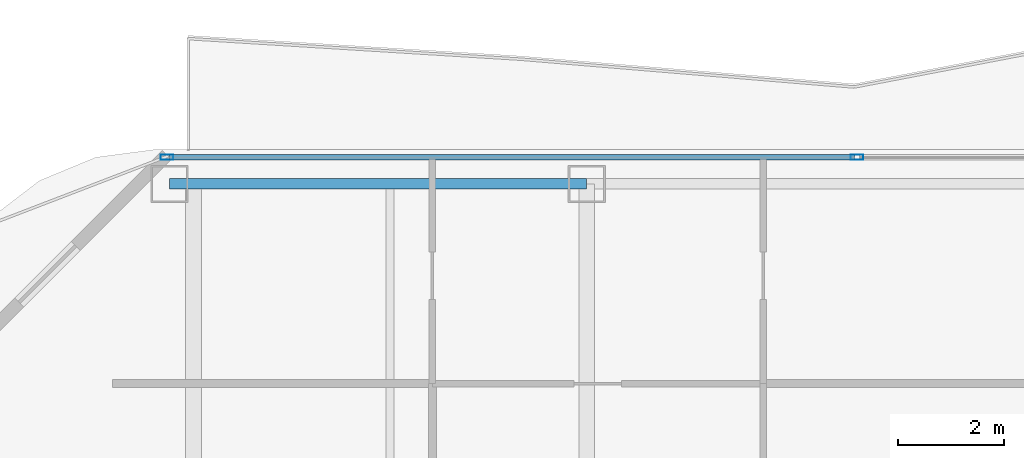
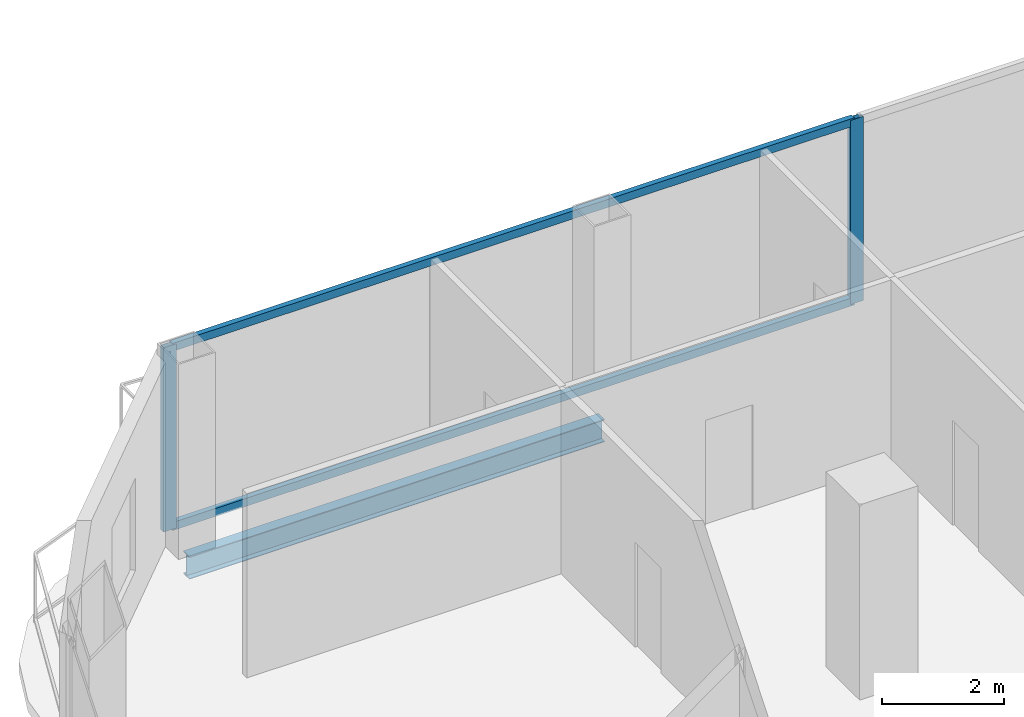
# One storey, part 14 of 27: 4 members, 1 beam, 1 element without a shape of its own.
"""IFC4 building model written with IfcOpenShell, lengths in metres."""

from ifc_helpers import new_model, si_unit, direction, frame, origin, origin_2d, place, context, subcontext, project, spatial, hollow_rectangle, i_section, extrude, material, layer, layer_set, material_profile, profile_set, type_object, element, aggregate, save


model = new_model("IFC4")

# Units and contexts
model_context = context("Model", 3, precision=1e-05, world=origin(), true_north=direction((0.0, 1.0)))
body_context = subcontext(model_context, "Body", "Model", "MODEL_VIEW")
ifc_project = project(units=[si_unit("LENGTHUNIT", "METRE"), si_unit("AREAUNIT", "SQUARE_METRE"), si_unit("VOLUMEUNIT", "CUBIC_METRE"), si_unit("PLANEANGLEUNIT", "RADIAN"), si_unit("MASSUNIT", "GRAM", prefix="KILO")], contexts=[model_context])

# Site, building, storey
site_placement = place(None, origin())
site = spatial("IfcSite", under=ifc_project, at=site_placement, CompositionType="ELEMENT")
building_placement = place(site_placement, origin())
building = spatial("IfcBuilding", under=site, at=building_placement, Name="Khorvyn Point Tower", CompositionType="ELEMENT")
storey_placement = place(building_placement, frame((0.0, 0.0, 125.10009765625)))
storey = spatial("IfcBuildingStorey", under=building, at=storey_placement, Name="L31", CompositionType="ELEMENT", Elevation=125.10009765625)

# Curtain wall, members
ifc_material_1 = material(Name="Anodised aluminium 6063-T6 and laminated Low-E glass", Category="aluminium")
ifc_layer = layer(ifc_material_1, 0.18994140625)
ifc_layer_set = layer_set([ifc_layer], Name="Stick-Built Acoustic Curtain Wall CW-SYS-03")
curtain_wall_type = type_object("IfcCurtainWallType", Name="Stick-Built Acoustic Curtain Wall CW-SYS-03", PredefinedType="NOTDEFINED", material=ifc_layer_set)
curtain_wall_placement = place(storey_placement, origin())
curtain_wall = element("IfcCurtainWall", 1, at=curtain_wall_placement, inside=storey, type_object=curtain_wall_type, Name="Curtain Wall", PredefinedType="NOTDEFINED")
ifc_material_2 = material(Name="Anodised aluminium 6063-T6", Category="aluminium")
ifc_material_profile_1 = material_profile(ifc_material_2, hollow_rectangle(XDim=0.10009765625, YDim=0.239990234375, WallThickness=0.0048828125, at=origin_2d()))
ifc_profile_set_1 = profile_set([ifc_material_profile_1], Name="Anodised aluminium 6063-T6 ALU-MUL-100x240")
member_type_1 = type_object("IfcMemberType", Name="Anodised Aluminium 6063-T6 Mullion ALU-MUL-100x240", PredefinedType="MULLION", material=ifc_profile_set_1)
member_1_placement = place(storey_placement, frame((-15.300048828125, 29.449951171875, 0.0), z_axis=(0.0, 0.0, 1.0), x_axis=(0.0, 1.0, 0.0)))
member_1 = element("IfcMember", 2, at=member_1_placement, type_object=member_type_1, Name="Transom", PredefinedType="MULLION", context=body_context, shape_type="SweptSolid", body=[
    extrude(hollow_rectangle(XDim=0.10009765625, YDim=0.239990234375, WallThickness=0.0048828125, at=origin_2d()), origin(), (0.0, 0.0, 1.0), 3.679931640625),
])
member_2_placement = place(storey_placement, frame((-2.31298828125, 29.449951171875, 0.0), z_axis=(0.0, 0.0, 1.0), x_axis=(0.0, 1.0, 0.0)))
member_2 = element("IfcMember", 3, at=member_2_placement, type_object=member_type_1, Name="Transom", PredefinedType="MULLION", context=body_context, shape_type="SweptSolid", body=[
    extrude(hollow_rectangle(XDim=0.10009765625, YDim=0.239990234375, WallThickness=0.0048828125, at=origin_2d()), origin(), (0.0, 0.0, 1.0), 3.679931640625),
])
ifc_material_profile_2 = material_profile(ifc_material_2, hollow_rectangle(XDim=0.10009765625, YDim=0.159912109375, WallThickness=0.00439453125, at=origin_2d()))
ifc_profile_set_2 = profile_set([ifc_material_profile_2], Name="Anodised aluminium 6063-T6 ALU-TRN-100x160")
member_type_2 = type_object("IfcMemberType", Name="Anodised Aluminium 6063-T6 Transom ALU-TRN-100x160", PredefinedType="USERDEFINED", material=ifc_profile_set_2)
member_3_placement = place(storey_placement, frame((-15.25, 29.449951171875, 0.0498046875), z_axis=(1.0, 0.0, 0.0), x_axis=(0.0, 1.0, 0.0)))
member_3 = element("IfcMember", 4, at=member_3_placement, type_object=member_type_2, Name="Transom", ObjectType="TRANSOM", PredefinedType="USERDEFINED", context=body_context, shape_type="SweptSolid", body=[
    extrude(hollow_rectangle(XDim=0.10009765625, YDim=0.159912109375, WallThickness=0.00439453125, at=origin_2d()), origin(), (0.0, 0.0, 1.0), 12.886962890625),
])
member_4_placement = place(storey_placement, frame((-15.25, 29.449951171875, 3.6298828125), z_axis=(1.0, 0.0, 0.0), x_axis=(0.0, 1.0, 0.0)))
member_4 = element("IfcMember", 5, at=member_4_placement, type_object=member_type_2, Name="Transom", ObjectType="TRANSOM", PredefinedType="USERDEFINED", context=body_context, shape_type="SweptSolid", body=[
    extrude(hollow_rectangle(XDim=0.10009765625, YDim=0.159912109375, WallThickness=0.00439453125, at=origin_2d()), origin(), (0.0, 0.0, 1.0), 12.886962890625),
])
aggregate(curtain_wall, [member_1, member_2, member_3, member_4])

# Beam
ifc_material_3 = material(Name="Steel S355", Category="steel")
ifc_material_profile_3 = material_profile(ifc_material_3, i_section(OverallWidth=0.199951171875, OverallDepth=0.449951171875, WebThickness=0.009033203125, FlangeThickness=0.013916015625, at=origin_2d()))
ifc_profile_set_3 = profile_set([ifc_material_profile_3], Name="Steel S355 H450x200x9x14")
beam_type = type_object("IfcBeamType", Name="Steel S355 Spandrel H450x200x9x14", PredefinedType="SPANDREL", material=ifc_profile_set_3)
beam_placement = place(storey_placement, frame((-15.25, 28.949951171875, -0.445068359375), z_axis=(1.0, 0.0, 0.0), x_axis=(0.0, 1.0, 0.0)))
element("IfcBeam", 6, at=beam_placement, inside=storey, type_object=beam_type, Name="Beam", PredefinedType="SPANDREL", context=body_context, shape_type="SweptSolid", body=[
    extrude(i_section(OverallWidth=0.199951171875, OverallDepth=0.449951171875, WebThickness=0.009033203125, FlangeThickness=0.013916015625, at=origin_2d()), origin(), (0.0, 0.0, 1.0), 7.85009765625),
])

save(model, "model.ifc")
